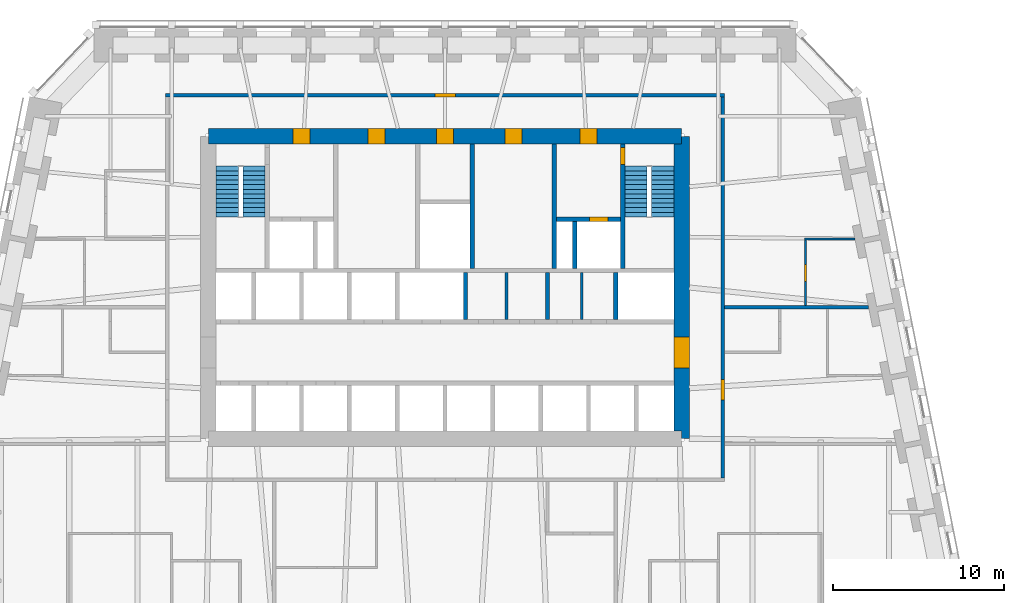
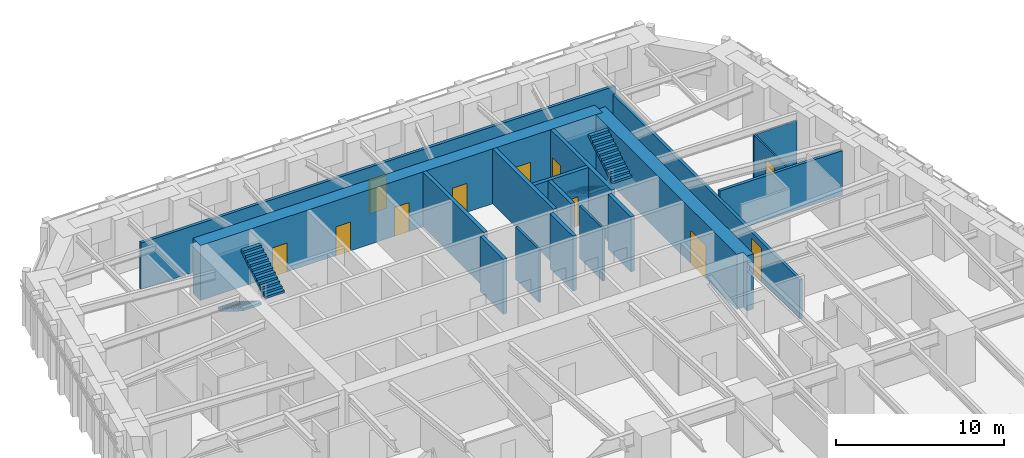
# One storey, part 14 of 16: 17 walls, 11 doors, 4 stair flights, 11 openings, 2 elements without a shape of their own.
"""IFC4 building model written with IfcOpenShell, lengths in metres."""

import ifcopenshell
import ifcopenshell.guid

model = None  # the IFC model being written
_history = None  # IfcOwnerHistory: only IFC2X3 demands one
_inside = {}  # id of a spatial element -> (the spatial element, [elements in it])
_under = {}  # id of a project, library or spatial element -> (it, [spatial elements below it])
_declared = {}  # id of a project -> (the project, [libraries it declares])
_typed = {}  # id of a type object -> (the type object, [elements of that type])
_made_of = {}  # id of a material, layer set ... -> (it, [elements and type objects made of it])


def new_model(schema):
    """Start an empty IFC model of exactly this schema.

    Asked for "IFC4X3", IfcOpenShell would pick the latest addendum, in which some entities
    have other attributes; the version numbers below select the first issue.
    IFC2X3 requires an IfcOwnerHistory on every rooted entity: one is made here for all.
    """
    global model, _history
    if schema == "IFC4X3":
        model = ifcopenshell.file(schema_version=(4, 3, 0, 0))
    else:
        model = ifcopenshell.file(schema=schema)
    _inside.clear()
    _under.clear()
    _declared.clear()
    _typed.clear()
    _made_of.clear()
    _history = None
    if model.schema == "IFC2X3":
        org = make("IfcOrganization", Name="unknown")
        user = make(
            "IfcPersonAndOrganization",
            ThePerson=make("IfcPerson", FamilyName="unknown"),
            TheOrganization=org,
        )
        app = make(
            "IfcApplication",
            ApplicationDeveloper=org,
            Version="unknown",
            ApplicationFullName="unknown",
            ApplicationIdentifier="unknown",
        )
        _history = make(
            "IfcOwnerHistory",
            OwningUser=user,
            OwningApplication=app,
            ChangeAction="ADDED",
            CreationDate=0,
        )
    return model


def make(cls, **values):
    """One entity of the class cls with the attributes given. An attribute that is None is left unset."""
    return model.create_entity(
        cls, **{name: value for name, value in values.items() if value is not None}
    )


def rooted(cls, **values):
    """An entity with a GlobalId (a new one), such as an element, a storey or a relation."""
    return make(cls, GlobalId=ifcopenshell.guid.new(), OwnerHistory=_history, **values)


def si_unit(unit_type, name, prefix=None):
    """IfcSIUnit, for example si_unit("LENGTHUNIT", "METRE", prefix="MILLI")."""
    return make("IfcSIUnit", UnitType=unit_type, Prefix=prefix, Name=name)


def assignment(units):
    """IfcUnitAssignment: the units of a project."""
    return None if units is None else make("IfcUnitAssignment", Units=units)


def point(xyz):
    """IfcCartesianPoint."""
    return None if xyz is None else make("IfcCartesianPoint", Coordinates=xyz)


def direction(xyz):
    """IfcDirection."""
    return None if xyz is None else make("IfcDirection", DirectionRatios=xyz)


def frame(location, z_axis=None, x_axis=None):
    """IfcAxis2Placement3D, a coordinate frame: its origin and axes. An axis left out is left unset."""
    return make(
        "IfcAxis2Placement3D",
        Location=point(location),
        Axis=direction(z_axis),
        RefDirection=direction(x_axis),
    )


def frame_2d(location, x_axis=None):
    """IfcAxis2Placement2D, a coordinate frame in the plane: its origin and x axis."""
    return make(
        "IfcAxis2Placement2D", Location=point(location), RefDirection=direction(x_axis)
    )


def origin():
    """The frame at (0, 0, 0) with its axes left unset."""
    return frame((0.0, 0.0, 0.0))


def place(relative_to, where):
    """IfcLocalPlacement: puts the frame where relative to a parent placement (None: the world)."""
    return make(
        "IfcLocalPlacement", PlacementRelTo=relative_to, RelativePlacement=where
    )


def context(
    kind, dimensions, precision=None, world=None, true_north=None, identifier=None
):
    """IfcGeometricRepresentationContext, for example the 3D "Model" context."""
    return make(
        "IfcGeometricRepresentationContext",
        ContextIdentifier=identifier,
        ContextType=kind,
        CoordinateSpaceDimension=dimensions,
        Precision=precision,
        WorldCoordinateSystem=world,
        TrueNorth=true_north,
    )


def subcontext(parent, identifier, kind, view, scale=None):
    """IfcGeometricRepresentationSubContext, for example "Body" below "Model"."""
    return make(
        "IfcGeometricRepresentationSubContext",
        ContextIdentifier=identifier,
        ContextType=kind,
        ParentContext=parent,
        TargetScale=scale,
        TargetView=view,
    )


def project(units=None, contexts=None):
    """IfcProject with its units and contexts."""
    return rooted(
        "IfcProject",
        Name="project",
        RepresentationContexts=contexts,
        UnitsInContext=assignment(units),
    )


def spatial(cls, under=None, at=None, **own):
    """A site, building, storey or space (cls), placed at a placement, below another one or the project."""
    s = rooted(cls, ObjectPlacement=at, **own)
    if under is not None:
        _under.setdefault(under.id(), (under, []))[1].append(s)
    return s


def polyline(points):
    """IfcPolyline through the points."""
    return make("IfcPolyline", Points=[point(p) for p in points])


def profile(cls, at=None, kind="AREA", **sizes):
    """A parametric profile (cls). Its sizes go by their IFC names, for example OverallWidth=200.0."""
    return make(cls, ProfileType=kind, Position=at, **sizes)


def rectangle(**sizes):
    """IfcRectangleProfileDef."""
    return profile("IfcRectangleProfileDef", **sizes)


def outline(outer, holes=None, kind="AREA"):
    """IfcArbitraryClosedProfileDef: a profile drawn as a closed curve; with holes, ...WithVoids."""
    if holes is None:
        return make("IfcArbitraryClosedProfileDef", ProfileType=kind, OuterCurve=outer)
    return make(
        "IfcArbitraryProfileDefWithVoids",
        ProfileType=kind,
        OuterCurve=outer,
        InnerCurves=holes,
    )


def extrude(swept, where, along, depth):
    """IfcExtrudedAreaSolid: the profile swept, set in the frame where, extruded along a direction by depth."""
    return make(
        "IfcExtrudedAreaSolid",
        SweptArea=swept,
        Position=where,
        ExtrudedDirection=direction(along),
        Depth=depth,
    )


def shape(context_of_items, identifier, shape_type, items):
    """IfcShapeRepresentation: the items that make up one representation, for example the "Body"."""
    return make(
        "IfcShapeRepresentation",
        ContextOfItems=context_of_items,
        RepresentationIdentifier=identifier,
        RepresentationType=shape_type,
        Items=items,
    )


def material(Name=None, Category=None):
    """IfcMaterial."""
    return make("IfcMaterial", Name=Name, Category=Category)


def layer(
    of_material, thickness, ventilated=None, Name=None, Category=None, Priority=None
):
    """IfcMaterialLayer: one layer of a wall or slab, of a material (None: an air gap)."""
    return make(
        "IfcMaterialLayer",
        Material=of_material,
        LayerThickness=thickness,
        IsVentilated=ventilated,
        Name=Name,
        Category=Category,
        Priority=Priority,
    )


def layer_set(layers, Name=None):
    """IfcMaterialLayerSet."""
    return make("IfcMaterialLayerSet", MaterialLayers=layers, LayerSetName=Name)


def made_of(thing, what):
    """Note that an element or type object is made of a material, layer set ...; save() writes the relation."""
    if what is not None:
        _made_of.setdefault(what.id(), (what, []))[1].append(thing)
    return thing


def type_object(cls, material=None, **own):
    """A type object (cls), such as IfcWallType, which elements share."""
    return made_of(rooted(cls, **own), material)


def element(
    cls,
    number,
    at=None,
    inside=None,
    cuts=None,
    type_object=None,
    material=None,
    context=None,
    identifier="Body",
    shape_type=None,
    held_by="IfcProductDefinitionShape",
    body=None,
    shapes=None,
    **own,
):
    """One element of the class cls, such as IfcWall. Its Tag is "e" and its number.

    at: its placement. inside: the storey or other place that contains it. cuts: it is an
    opening in that element (IfcRelVoidsElement). A single representation is given by context,
    identifier, shape_type and body (its items); several are given by shapes. held_by: the class
    of the entity that holds the representations. save() writes the other relations.
    """
    e = rooted(cls, Tag="e%d" % number, ObjectPlacement=at, **own)
    if body is not None:
        shapes = [shape(context, identifier, shape_type, body)]
    if shapes is not None:
        e.Representation = make(held_by, Representations=shapes)
    if inside is not None:
        _inside.setdefault(inside.id(), (inside, []))[1].append(e)
    if cuts is not None:
        rooted(
            "IfcRelVoidsElement", RelatingBuildingElement=cuts, RelatedOpeningElement=e
        )
    if type_object is not None:
        _typed.setdefault(type_object.id(), (type_object, []))[1].append(e)
    return made_of(e, material)


def fill(opening, filler):
    """IfcRelFillsElement: the door or window that sits in an opening."""
    return rooted(
        "IfcRelFillsElement",
        RelatingOpeningElement=opening,
        RelatedBuildingElement=filler,
    )


def aggregate(whole, parts):
    """IfcRelAggregates: a whole, such as a stair, and the parts it consists of."""
    return rooted("IfcRelAggregates", RelatingObject=whole, RelatedObjects=parts)


def save(model, path):
    """Write the relations noted so far, then the file.

    IfcRelAggregates (storeys below a building ...), IfcRelContainedInSpatialStructure (elements
    in a storey), IfcRelDefinesByType, IfcRelAssociatesMaterial and IfcRelDeclares: one each for
    every whole, place, type object, material and project.
    """
    for whole, parts in _under.values():
        aggregate(whole, parts)
    for where, things in _inside.values():
        rooted(
            "IfcRelContainedInSpatialStructure",
            RelatedElements=things,
            RelatingStructure=where,
        )
    for kind, things in _typed.values():
        rooted("IfcRelDefinesByType", RelatedObjects=things, RelatingType=kind)
    for what, things in _made_of.values():
        rooted("IfcRelAssociatesMaterial", RelatedObjects=things, RelatingMaterial=what)
    for by, libraries in _declared.values():
        rooted("IfcRelDeclares", RelatingContext=by, RelatedDefinitions=libraries)
    model.write(path)


model = new_model("IFC4")

# Units and contexts
model_context = context("Model", 3, precision=1e-05, world=origin(), true_north=direction((0.0, 1.0)))
body_context = subcontext(model_context, "Body", "Model", "MODEL_VIEW")
ifc_project = project(units=[si_unit("LENGTHUNIT", "METRE"), si_unit("AREAUNIT", "SQUARE_METRE"), si_unit("VOLUMEUNIT", "CUBIC_METRE"), si_unit("PLANEANGLEUNIT", "RADIAN"), si_unit("MASSUNIT", "GRAM", prefix="KILO")], contexts=[model_context])

# Site, building, storey
site_placement = place(None, origin())
site = spatial("IfcSite", under=ifc_project, at=site_placement, CompositionType="ELEMENT")
building_placement = place(site_placement, origin())
building = spatial("IfcBuilding", under=site, at=building_placement, Name="Isbrekke Arena Tower", CompositionType="ELEMENT")
storey_placement = place(building_placement, frame((0.0, 0.0, 36.0)))
storey = spatial("IfcBuildingStorey", under=building, at=storey_placement, Name="L06", CompositionType="ELEMENT", Elevation=36.0)

# Wall, opening, door
ifc_material_1 = material(Name="Concrete B65 (C65/80)", Category="concrete")
ifc_layer_1 = layer(ifc_material_1, 0.89990234375)
ifc_layer_set_1 = layer_set([ifc_layer_1], Name="CW2 CORE WALL 900")
wall_type_1 = type_object("IfcWallType", Name="CW2 CORE WALL 900", PredefinedType="SHEAR", material=ifc_layer_set_1)
wall_1_placement = place(storey_placement, frame((13.85009765625, 6.14990234375, 0.0), z_axis=(0.0, 0.0, 1.0), x_axis=(0.0, 1.0, 0.0)))
wall_1 = element("IfcWall", 1, at=wall_1_placement, inside=storey, type_object=wall_type_1, Name="Core wall E L06", PredefinedType="SHEAR", context=body_context, shape_type="SweptSolid", body=[
    extrude(outline(polyline([(0.0, -0.449951171875), (17.7001953125, -0.449951171875), (17.7001953125, 0.0), (17.250244140625, 0.0), (17.250244140625, 0.449951171875), (0.449951171875, 0.449951171875), (0.449951171875, 0.0), (0.0, 0.0), (0.0, -0.449951171875)])), origin(), (0.0, 0.0, 1.0), 4.0),
])
opening_1_placement = place(wall_1_placement, frame((4.14990234375, 0.0, 0.0)))
opening_1 = element("IfcOpeningElement", 2, at=opening_1_placement, cuts=wall_1, Name="Opening D1", PredefinedType="OPENING", context=body_context, shape_type="SweptSolid", body=[
    extrude(rectangle(XDim=1.800048828125, YDim=2.39990234375, at=frame_2d((0.89990234375, 1.199951171875))), frame((0.0, 0.46484375, 0.0), z_axis=(0.0, -1.0, 0.0), x_axis=(1.0, 0.0, 0.0)), (0.0, 0.0, 1.0), 0.9296875),
])
ifc_material_2 = material(Name="Steel-framed glazed fire door", Category="steel")
door_type_1 = type_object("IfcDoorType", Name="D1 CORE LOBBY DOOR 1800 x 2400", OperationType="DOUBLE_DOOR_SINGLE_SWING", PredefinedType="DOOR", material=ifc_material_2)
door_1_placement = place(opening_1_placement, origin())
door_1 = element("IfcDoor", 3, at=door_1_placement, inside=storey, type_object=door_type_1, Name="D1 lift lobby door east L06", OperationType="DOUBLE_DOOR_SINGLE_SWING", OverallHeight=2.39990234375, OverallWidth=1.800048828125, PredefinedType="DOOR", context=body_context, shape_type="SweptSolid", body=[
    extrude(rectangle(XDim=1.800048828125, YDim=2.39990234375, at=frame_2d((0.89990234375, 1.199951171875))), frame((0.0, 0.44970703125, 0.0), z_axis=(0.0, -1.0, 0.0), x_axis=(1.0, 0.0, 0.0)), (0.0, 0.0, 1.0), 0.8994140625),
])
fill(opening_1, door_1)

# Wall, openings, doors
wall_2_placement = place(storey_placement, frame((13.85009765625, 23.85009765625, 0.0), z_axis=(0.0, 0.0, 1.0), x_axis=(-1.0, 0.0, 0.0)))
wall_2 = element("IfcWall", 4, at=wall_2_placement, inside=storey, type_object=wall_type_1, Name="Core wall N L06", PredefinedType="SHEAR", context=body_context, shape_type="SweptSolid", body=[
    extrude(rectangle(XDim=27.7001953125, YDim=0.89990234375, at=frame_2d((13.85009765625, 0.0))), origin(), (0.0, 0.0, 1.0), 4.0),
])
opening_2_placement = place(wall_2_placement, frame((21.75, 0.0, 0.0)))
opening_2 = element("IfcOpeningElement", 5, at=opening_2_placement, cuts=wall_2, Name="Opening D3", PredefinedType="OPENING", context=body_context, shape_type="SweptSolid", body=[
    extrude(rectangle(XDim=1.0, YDim=2.10009765625, at=frame_2d((0.5, 1.050048828125))), frame((0.0, 0.46484375, 0.0), z_axis=(0.0, -1.0, 0.0), x_axis=(1.0, 0.0, 0.0)), (0.0, 0.0, 1.0), 0.9296875),
])
opening_3_placement = place(wall_2_placement, frame((4.949951171875, 0.0, 0.0)))
opening_3 = element("IfcOpeningElement", 6, at=opening_3_placement, cuts=wall_2, Name="Opening D3", PredefinedType="OPENING", context=body_context, shape_type="SweptSolid", body=[
    extrude(rectangle(XDim=1.0, YDim=2.10009765625, at=frame_2d((0.5, 1.050048828125))), frame((0.0, 0.46484375, 0.0), z_axis=(0.0, -1.0, 0.0), x_axis=(1.0, 0.0, 0.0)), (0.0, 0.0, 1.0), 0.9296875),
])
opening_4_placement = place(wall_2_placement, frame((17.35009765625, 0.0, 0.0)))
opening_4 = element("IfcOpeningElement", 7, at=opening_4_placement, cuts=wall_2, Name="Opening D4", PredefinedType="OPENING", context=body_context, shape_type="SweptSolid", body=[
    extrude(rectangle(XDim=1.0, YDim=2.10009765625, at=frame_2d((0.5, 1.050048828125))), frame((0.0, 0.46484375, 0.0), z_axis=(0.0, -1.0, 0.0), x_axis=(1.0, 0.0, 0.0)), (0.0, 0.0, 1.0), 0.9296875),
])
opening_5_placement = place(wall_2_placement, frame((13.35009765625, 0.0, 0.0)))
opening_5 = element("IfcOpeningElement", 8, at=opening_5_placement, cuts=wall_2, Name="Opening D4", PredefinedType="OPENING", context=body_context, shape_type="SweptSolid", body=[
    extrude(rectangle(XDim=1.0, YDim=2.10009765625, at=frame_2d((0.5, 1.050048828125))), frame((0.0, 0.46484375, 0.0), z_axis=(0.0, -1.0, 0.0), x_axis=(1.0, 0.0, 0.0)), (0.0, 0.0, 1.0), 0.9296875),
])
opening_6_placement = place(wall_2_placement, frame((9.35009765625, 0.0, 0.0)))
opening_6 = element("IfcOpeningElement", 9, at=opening_6_placement, cuts=wall_2, Name="Opening D4", PredefinedType="OPENING", context=body_context, shape_type="SweptSolid", body=[
    extrude(rectangle(XDim=1.0, YDim=2.10009765625, at=frame_2d((0.5, 1.050048828125))), frame((0.0, 0.46484375, 0.0), z_axis=(0.0, -1.0, 0.0), x_axis=(1.0, 0.0, 0.0)), (0.0, 0.0, 1.0), 0.9296875),
])
ifc_material_3 = material(Name="Steel fire door", Category="steel")
door_type_2 = type_object("IfcDoorType", Name="D3 FIRE LOBBY DOOR 1000 x 2100", OperationType="SINGLE_SWING_RIGHT", PredefinedType="DOOR", material=ifc_material_3)
door_2_placement = place(opening_2_placement, origin())
door_2 = element("IfcDoor", 10, at=door_2_placement, inside=storey, type_object=door_type_2, Name="D3 fire-fighting lobby door L06", OperationType="SINGLE_SWING_RIGHT", OverallHeight=2.10009765625, OverallWidth=1.0, PredefinedType="DOOR", context=body_context, shape_type="SweptSolid", body=[
    extrude(rectangle(XDim=1.0, YDim=2.10009765625, at=frame_2d((0.5, 1.050048828125))), frame((0.0, 0.44970703125, 0.0), z_axis=(0.0, -1.0, 0.0), x_axis=(1.0, 0.0, 0.0)), (0.0, 0.0, 1.0), 0.8994140625),
])
fill(opening_2, door_2)
door_3_placement = place(opening_3_placement, origin())
door_3 = element("IfcDoor", 11, at=door_3_placement, inside=storey, type_object=door_type_2, Name="D3 fire-fighting lobby door L06", OperationType="SINGLE_SWING_RIGHT", OverallHeight=2.10009765625, OverallWidth=1.0, PredefinedType="DOOR", context=body_context, shape_type="SweptSolid", body=[
    extrude(rectangle(XDim=1.0, YDim=2.10009765625, at=frame_2d((0.5, 1.050048828125))), frame((0.0, 0.44970703125, 0.0), z_axis=(0.0, -1.0, 0.0), x_axis=(1.0, 0.0, 0.0)), (0.0, 0.0, 1.0), 0.8994140625),
])
fill(opening_3, door_3)
ifc_material_4 = material(Name="Timber door", Category="wood")
door_type_3 = type_object("IfcDoorType", Name="D4 WC DOOR 1000 x 2100", OperationType="SINGLE_SWING_LEFT", PredefinedType="DOOR", material=ifc_material_4)
door_4_placement = place(opening_4_placement, origin())
door_4 = element("IfcDoor", 12, at=door_4_placement, inside=storey, type_object=door_type_3, Name="D4 wc female door L06", OperationType="SINGLE_SWING_LEFT", OverallHeight=2.10009765625, OverallWidth=1.0, PredefinedType="DOOR", context=body_context, shape_type="SweptSolid", body=[
    extrude(rectangle(XDim=1.0, YDim=2.10009765625, at=frame_2d((0.5, 1.050048828125))), frame((0.0, 0.44970703125, 0.0), z_axis=(0.0, -1.0, 0.0), x_axis=(1.0, 0.0, 0.0)), (0.0, 0.0, 1.0), 0.8994140625),
])
fill(opening_4, door_4)
door_5_placement = place(opening_5_placement, origin())
door_5 = element("IfcDoor", 13, at=door_5_placement, inside=storey, type_object=door_type_3, Name="D4 accessible wc door L06", OperationType="SINGLE_SWING_LEFT", OverallHeight=2.10009765625, OverallWidth=1.0, PredefinedType="DOOR", context=body_context, shape_type="SweptSolid", body=[
    extrude(rectangle(XDim=1.0, YDim=2.10009765625, at=frame_2d((0.5, 1.050048828125))), frame((0.0, 0.44970703125, 0.0), z_axis=(0.0, -1.0, 0.0), x_axis=(1.0, 0.0, 0.0)), (0.0, 0.0, 1.0), 0.8994140625),
])
fill(opening_5, door_5)
door_6_placement = place(opening_6_placement, origin())
door_6 = element("IfcDoor", 14, at=door_6_placement, inside=storey, type_object=door_type_3, Name="D4 wc male door L06", OperationType="SINGLE_SWING_LEFT", OverallHeight=2.10009765625, OverallWidth=1.0, PredefinedType="DOOR", context=body_context, shape_type="SweptSolid", body=[
    extrude(rectangle(XDim=1.0, YDim=2.10009765625, at=frame_2d((0.5, 1.050048828125))), frame((0.0, 0.44970703125, 0.0), z_axis=(0.0, -1.0, 0.0), x_axis=(1.0, 0.0, 0.0)), (0.0, 0.0, 1.0), 0.8994140625),
])
fill(opening_6, door_6)

# Walls
ifc_material_5 = material(Name="Concrete B45 (C45/55)", Category="concrete")
ifc_layer_2 = layer(ifc_material_5, 0.25)
ifc_layer_set_2 = layer_set([ifc_layer_2], Name="CW6 SHAFT WALL 250")
wall_type_2 = type_object("IfcWallType", Name="CW6 SHAFT WALL 250", PredefinedType="SHEAR", material=ifc_layer_set_2)
for number, where, z_axis, x_axis, name in (
    (15, (1.199951171875, 13.125, 0.0), (0.0, 0.0, 1.0), (0.0, 1.0, 0.0), "Core wall SN05 L06"),
    (16, (6.0, 13.125, 0.0), (0.0, 0.0, 1.0), (0.0, 1.0, 0.0), "Core wall SN06 L06"),
    (17, (10.0, 13.125, 0.0), (0.0, 0.0, 1.0), (0.0, 1.0, 0.0), "Core wall SN07 L06"),
):
    element("IfcWall", number, at=place(storey_placement, frame(where, z_axis=z_axis, x_axis=x_axis)), inside=storey, type_object=wall_type_2, Name=name, PredefinedType="SHEAR", context=body_context, shape_type="SweptSolid", body=[
        extrude(rectangle(XDim=2.75, YDim=0.25, at=frame_2d((1.375, 0.0))), origin(), (0.0, 0.0, 1.0), 4.0),
    ])
for number, where, z_axis, x_axis, name in (
    (18, (1.60009765625, 16.125, 0.0), (0.0, 0.0, 1.0), (0.0, 1.0, 0.0), "Core wall NV04 L06"),
    (19, (6.39990234375, 16.125, 0.0), (0.0, 0.0, 1.0), (0.0, 1.0, 0.0), "Core wall NV05 L06"),
):
    element("IfcWall", number, at=place(storey_placement, frame(where, z_axis=z_axis, x_axis=x_axis)), inside=storey, type_object=wall_type_2, Name=name, PredefinedType="SHEAR", context=body_context, shape_type="SweptSolid", body=[
        extrude(rectangle(XDim=7.27490234375, YDim=0.25, at=frame_2d((3.637451171875, 0.0))), origin(), (0.0, 0.0, 1.0), 4.0),
    ])

# Wall, opening, door
wall_3_placement = place(storey_placement, frame((10.39990234375, 16.125, 0.0), z_axis=(0.0, 0.0, 1.0), x_axis=(0.0, 1.0, 0.0)))
wall_3 = element("IfcWall", 20, at=wall_3_placement, inside=storey, type_object=wall_type_2, Name="Core wall NV06 L06", PredefinedType="SHEAR", context=body_context, shape_type="SweptSolid", body=[
    extrude(rectangle(XDim=7.27490234375, YDim=0.25, at=frame_2d((3.637451171875, 0.0))), origin(), (0.0, 0.0, 1.0), 4.0),
])
opening_7_placement = place(wall_3_placement, frame((6.074951171875, 0.0, 0.0)))
opening_7 = element("IfcOpeningElement", 21, at=opening_7_placement, cuts=wall_3, Name="Opening D2", PredefinedType="OPENING", context=body_context, shape_type="SweptSolid", body=[
    extrude(rectangle(XDim=1.0, YDim=2.10009765625, at=frame_2d((0.5, 1.050048828125))), frame((0.0, 0.139892578125, 0.0), z_axis=(0.0, -1.0, 0.0), x_axis=(1.0, 0.0, 0.0)), (0.0, 0.0, 1.0), 0.27978515625),
])
ifc_material_6 = material(Name="Steel fire door", Category="steel")
door_type_4 = type_object("IfcDoorType", Name="D2 STAIR DOOR 1000 x 2100", OperationType="SINGLE_SWING_LEFT", PredefinedType="DOOR", material=ifc_material_6)
door_7_placement = place(opening_7_placement, origin())
door_7 = element("IfcDoor", 22, at=door_7_placement, inside=storey, type_object=door_type_4, Name="D2 stair door ST2 L06", OperationType="SINGLE_SWING_LEFT", OverallHeight=2.10009765625, OverallWidth=1.0, PredefinedType="DOOR", context=body_context, shape_type="SweptSolid", body=[
    extrude(rectangle(XDim=1.0, YDim=2.10009765625, at=frame_2d((0.5, 1.050048828125))), frame((0.0, 0.124755859375, 0.0), z_axis=(0.0, -1.0, 0.0), x_axis=(1.0, 0.0, 0.0)), (0.0, 0.0, 1.0), 0.24951171875),
])
fill(opening_7, door_7)

wall_4_placement = place(storey_placement, frame((6.52490234375, 19.0, 0.0), z_axis=(0.0, 0.0, 1.0), x_axis=(1.0, 0.0, 0.0)))
wall_4 = element("IfcWall", 23, at=wall_4_placement, inside=storey, type_object=wall_type_2, Name="Core wall NFE L06", PredefinedType="SHEAR", context=body_context, shape_type="SweptSolid", body=[
    extrude(rectangle(XDim=3.75, YDim=0.25, at=frame_2d((1.875, 0.0))), origin(), (0.0, 0.0, 1.0), 4.0),
])
opening_8_placement = place(wall_4_placement, frame((1.925048828125, 0.0, 0.0)))
opening_8 = element("IfcOpeningElement", 24, at=opening_8_placement, cuts=wall_4, Name="Opening LD2", PredefinedType="OPENING", context=body_context, shape_type="SweptSolid", body=[
    extrude(rectangle(XDim=1.10009765625, YDim=2.10009765625, at=frame_2d((0.550048828125, 1.050048828125))), frame((0.0, 0.139892578125, 0.0), z_axis=(0.0, -1.0, 0.0), x_axis=(1.0, 0.0, 0.0)), (0.0, 0.0, 1.0), 0.27978515625),
])
ifc_material_7 = material(Name="Stainless steel lift landing door", Category="steel")
door_type_5 = type_object("IfcDoorType", Name="LD2 FIRE-FIGHTING LIFT LANDING DOOR 1100 x 2100", OperationType="SLIDING_TO_RIGHT", PredefinedType="DOOR", material=ifc_material_7)
door_8_placement = place(opening_8_placement, origin())
door_8 = element("IfcDoor", 25, at=door_8_placement, inside=storey, type_object=door_type_5, Name="LD2 lift landing door LF L06", OperationType="SLIDING_TO_RIGHT", OverallHeight=2.10009765625, OverallWidth=1.10009765625, PredefinedType="DOOR", context=body_context, shape_type="SweptSolid", body=[
    extrude(rectangle(XDim=1.10009765625, YDim=2.10009765625, at=frame_2d((0.550048828125, 1.050048828125))), frame((0.0, 0.124755859375, 0.0), z_axis=(0.0, -1.0, 0.0), x_axis=(1.0, 0.0, 0.0)), (0.0, 0.0, 1.0), 0.24951171875),
])
fill(opening_8, door_8)

# Walls
wall_5_placement = place(storey_placement, frame((7.60009765625, 16.125, 0.0), z_axis=(0.0, 0.0, 1.0), x_axis=(0.0, 1.0, 0.0)))
element("IfcWall", 26, at=wall_5_placement, inside=storey, type_object=wall_type_2, Name="Core wall NFS2 L06", PredefinedType="SHEAR", context=body_context, shape_type="SweptSolid", body=[
    extrude(rectangle(XDim=2.75, YDim=0.25, at=frame_2d((1.375, 0.0))), origin(), (0.0, 0.0, 1.0), 4.0),
])
ifc_material_8 = material(Name="Frameless glazed partition, laminated acoustic glass", Category="glass")
ifc_layer_3 = layer(ifc_material_8, 0.1201171875)
ifc_layer_set_3 = layer_set([ifc_layer_3], Name="IW2 GLAZED PARTITION 120")
wall_type_3 = type_object("IfcWallType", Name="IW2 GLAZED PARTITION 120", PredefinedType="PARTITIONING", material=ifc_layer_set_3)
wall_6_placement = place(storey_placement, frame((21.0400390625, 17.840087890625, 0.0), z_axis=(0.0, 0.0, 1.0), x_axis=(1.0, 0.0, 0.0)))
element("IfcWall", 27, at=wall_6_placement, inside=storey, type_object=wall_type_3, Name="IW2 glazed partition 120 L06", PredefinedType="PARTITIONING", context=body_context, shape_type="SweptSolid", body=[
    extrude(rectangle(XDim=2.956298828125, YDim=0.1201171875, at=frame_2d((1.47802734375, 0.0))), origin(), (0.0, 0.0, 1.0), 3.25),
])

# Wall, opening, door
wall_7_placement = place(storey_placement, frame((21.10009765625, 13.93994140625, 0.0), z_axis=(0.0, 0.0, 1.0), x_axis=(0.0, 1.0, 0.0)))
wall_7 = element("IfcWall", 28, at=wall_7_placement, inside=storey, type_object=wall_type_3, Name="IW2 glazed partition 120 L06", PredefinedType="PARTITIONING", context=body_context, shape_type="SweptSolid", body=[
    extrude(rectangle(XDim=3.840087890625, YDim=0.1201171875, at=frame_2d((1.919921875, 0.0))), origin(), (0.0, 0.0, 1.0), 3.25),
])
opening_9_placement = place(wall_7_placement, frame((1.39990234375, 0.0, 0.0)))
opening_9 = element("IfcOpeningElement", 29, at=opening_9_placement, cuts=wall_7, Name="Opening D11", PredefinedType="OPENING", context=body_context, shape_type="SweptSolid", body=[
    extrude(rectangle(XDim=1.0, YDim=2.39990234375, at=frame_2d((0.5, 1.199951171875))), frame((0.0, 0.074951171875, 0.0), z_axis=(0.0, -1.0, 0.0), x_axis=(1.0, 0.0, 0.0)), (0.0, 0.0, 1.0), 0.14990234375),
])
ifc_material_9 = material(Name="Frameless glazed door", Category="glass")
door_type_6 = type_object("IfcDoorType", Name="D11 GLAZED MEETING ROOM DOOR 1000 x 2400", OperationType="SINGLE_SWING_RIGHT", PredefinedType="DOOR", material=ifc_material_9)
door_9_placement = place(opening_9_placement, origin())
door_9 = element("IfcDoor", 30, at=door_9_placement, inside=storey, type_object=door_type_6, Name="D11 meeting room door L06", OperationType="SINGLE_SWING_RIGHT", OverallHeight=2.39990234375, OverallWidth=1.0, PredefinedType="DOOR", context=body_context, shape_type="SweptSolid", body=[
    extrude(rectangle(XDim=1.0, YDim=2.39990234375, at=frame_2d((0.5, 1.199951171875))), frame((0.0, 0.059814453125, 0.0), z_axis=(0.0, -1.0, 0.0), x_axis=(1.0, 0.0, 0.0)), (0.0, 0.0, 1.0), 0.11962890625),
])
fill(opening_9, door_9)

# Wall
ifc_material_10 = material(Name="Gypsum board fire-cell wall on steel studs, two layers each side", Category="steel")
ifc_layer_4 = layer(ifc_material_10, 0.199951171875)
ifc_layer_set_4 = layer_set([ifc_layer_4], Name="IW3 FIRE-CELL WALL 200")
wall_type_4 = type_object("IfcWallType", Name="IW3 FIRE-CELL WALL 200", PredefinedType="PARTITIONING", material=ifc_layer_set_4)
wall_8_placement = place(storey_placement, frame((16.35009765625, 13.840087890625, 0.0), z_axis=(0.0, 0.0, 1.0), x_axis=(1.0, 0.0, 0.0)))
element("IfcWall", 31, at=wall_8_placement, inside=storey, type_object=wall_type_4, Name="IW3 fire-cell wall 200 L06", PredefinedType="PARTITIONING", context=body_context, shape_type="SweptSolid", body=[
    extrude(rectangle(XDim=8.4462890625, YDim=0.199951171875, at=frame_2d((4.22314453125, 0.0))), origin(), (0.0, 0.0, 1.0), 3.25),
])

# Wall, opening, door
wall_9_placement = place(storey_placement, frame((-16.35009765625, 26.25, 0.0), z_axis=(0.0, 0.0, 1.0), x_axis=(1.0, 0.0, 0.0)))
wall_9 = element("IfcWall", 32, at=wall_9_placement, inside=storey, type_object=wall_type_4, Name="IW3 fire-cell wall 200 L06", PredefinedType="PARTITIONING", context=body_context, shape_type="SweptSolid", body=[
    extrude(rectangle(XDim=32.7001953125, YDim=0.199951171875, at=frame_2d((16.35009765625, 0.0))), origin(), (0.0, 0.0, 1.0), 3.39990234375),
])
opening_10_placement = place(wall_9_placement, frame((15.75, 0.0, 0.0)))
opening_10 = element("IfcOpeningElement", 33, at=opening_10_placement, cuts=wall_9, Name="Opening D12", PredefinedType="OPENING", context=body_context, shape_type="SweptSolid", body=[
    extrude(rectangle(XDim=1.199951171875, YDim=2.39990234375, at=frame_2d((0.60009765625, 1.199951171875))), frame((0.0, 0.11474609375, 0.0), z_axis=(0.0, -1.0, 0.0), x_axis=(1.0, 0.0, 0.0)), (0.0, 0.0, 1.0), 0.229736328125),
])
ifc_material_11 = material(Name="Timber fire door with vision panel", Category="wood")
door_type_7 = type_object("IfcDoorType", Name="D12 SUITE ENTRANCE DOOR 1200 x 2400", OperationType="SINGLE_SWING_LEFT", PredefinedType="DOOR", material=ifc_material_11)
door_10_placement = place(opening_10_placement, origin())
door_10 = element("IfcDoor", 34, at=door_10_placement, inside=storey, type_object=door_type_7, Name="D12 suite entrance N door L06", OperationType="SINGLE_SWING_LEFT", OverallHeight=2.39990234375, OverallWidth=1.199951171875, PredefinedType="DOOR", context=body_context, shape_type="SweptSolid", body=[
    extrude(rectangle(XDim=1.199951171875, YDim=2.39990234375, at=frame_2d((0.60009765625, 1.199951171875))), frame((0.0, 0.099609375, 0.0), z_axis=(0.0, -1.0, 0.0), x_axis=(1.0, 0.0, 0.0)), (0.0, 0.0, 1.0), 0.199462890625),
])
fill(opening_10, door_10)

wall_10_placement = place(storey_placement, frame((16.25, 3.85009765625, 0.0), z_axis=(0.0, 0.0, 1.0), x_axis=(0.0, 1.0, 0.0)))
wall_10 = element("IfcWall", 35, at=wall_10_placement, inside=storey, type_object=wall_type_4, Name="IW3 fire-cell wall 200 L06", PredefinedType="PARTITIONING", context=body_context, shape_type="SweptSolid", body=[
    extrude(rectangle(XDim=22.2998046875, YDim=0.199951171875, at=frame_2d((11.14990234375, 0.0))), origin(), (0.0, 0.0, 1.0), 2.842041015625),
])
opening_11_placement = place(wall_10_placement, frame((4.550048828125, 0.0, 0.0)))
opening_11 = element("IfcOpeningElement", 36, at=opening_11_placement, cuts=wall_10, Name="Opening D12", PredefinedType="OPENING", context=body_context, shape_type="SweptSolid", body=[
    extrude(rectangle(XDim=1.199951171875, YDim=2.39990234375, at=frame_2d((0.60009765625, 1.199951171875))), frame((0.0, 0.11474609375, 0.0), z_axis=(0.0, -1.0, 0.0), x_axis=(1.0, 0.0, 0.0)), (0.0, 0.0, 1.0), 0.229736328125),
])
door_11_placement = place(opening_11_placement, origin())
door_11 = element("IfcDoor", 37, at=door_11_placement, inside=storey, type_object=door_type_7, Name="D12 suite entrance E door L06", OperationType="SINGLE_SWING_LEFT", OverallHeight=2.39990234375, OverallWidth=1.199951171875, PredefinedType="DOOR", context=body_context, shape_type="SweptSolid", body=[
    extrude(rectangle(XDim=1.199951171875, YDim=2.39990234375, at=frame_2d((0.60009765625, 1.199951171875))), frame((0.0, 0.099609375, 0.0), z_axis=(0.0, -1.0, 0.0), x_axis=(1.0, 0.0, 0.0)), (0.0, 0.0, 1.0), 0.199462890625),
])
fill(opening_11, door_11)

# Walls
ifc_material_12 = material(Name="Gypsum board fire-rated partition on steel studs, two layers each side", Category="steel")
ifc_layer_5 = layer(ifc_material_12, 0.14990234375)
ifc_layer_set_5 = layer_set([ifc_layer_5], Name="IW5 FIRE-RATED PARTITION 150")
wall_type_5 = type_object("IfcWallType", Name="IW5 FIRE-RATED PARTITION 150", PredefinedType="PARTITIONING", material=ifc_layer_set_5)
for number, where, z_axis, x_axis, name in (
    (38, (3.60009765625, 13.125, 0.0), (0.0, 0.0, 1.0), (0.0, 1.0, 0.0), "IW5 fire-rated partition L06 core service rooms 1"),
    (39, (8.0, 13.125, 0.0), (0.0, 0.0, 1.0), (0.0, 1.0, 0.0), "IW5 fire-rated partition L06 core service rooms 2"),
):
    element("IfcWall", number, at=place(storey_placement, frame(where, z_axis=z_axis, x_axis=x_axis)), inside=storey, type_object=wall_type_5, Name=name, PredefinedType="PARTITIONING", context=body_context, shape_type="SweptSolid", body=[
        extrude(rectangle(XDim=2.75, YDim=0.14990234375, at=frame_2d((1.375, 0.0))), origin(), (0.0, 0.0, 1.0), 3.85009765625),
    ])

# Stair, stair flights
ifc_material_13 = material(Name="Concrete B45 (C45/55) precast", Category="concrete")
stair_type = type_object("IfcStairType", Name="ST40 STAIR 1300 WIDE, 24 RISERS 167", PredefinedType="HALF_TURN_STAIR", material=ifc_material_13)
stair_1_placement = place(storey_placement, origin())
stair_1 = element("IfcStair", 40, at=stair_1_placement, inside=storey, type_object=stair_type, Name="ST1 stair L06", PredefinedType="HALF_TURN_STAIR")
ifc_material_14 = material(Name="Concrete B45 (C45/55) precast", Category="concrete")
stair_flight_type = type_object("IfcStairFlightType", Name="SF 1300 FLIGHT", PredefinedType="STRAIGHT", material=ifc_material_14)
stair_flight_1_placement = place(storey_placement, frame((-12.75, 22.10009765625, 0.0), z_axis=(0.0, 0.0, 1.0), x_axis=(0.0, -1.0, 0.0)))
stair_flight_1 = element("IfcStairFlight", 41, at=stair_flight_1_placement, type_object=stair_flight_type, Name="ST1 flight 1", NumberOfRisers=12, NumberOfTreads=11, PredefinedType="STRAIGHT", RiserHeight=0.166666667, TreadLength=0.27, context=body_context, shape_type="SweptSolid", body=[
    extrude(outline(polyline([(0.0, 0.0), (0.0, 0.166748046875), (0.27001953125, 0.166748046875), (0.27001953125, 0.333251953125), (0.5400390625, 0.333251953125), (0.5400390625, 0.5), (0.81005859375, 0.5), (0.81005859375, 0.666748046875), (1.080078125, 0.666748046875), (1.080078125, 0.833251953125), (1.35009765625, 0.833251953125), (1.35009765625, 1.0), (1.6201171875, 1.0), (1.6201171875, 1.166748046875), (1.889892578125, 1.166748046875), (1.889892578125, 1.333251953125), (2.159912109375, 1.333251953125), (2.159912109375, 1.5), (2.429931640625, 1.5), (2.429931640625, 1.666748046875), (2.699951171875, 1.666748046875), (2.699951171875, 1.833251953125), (2.969970703125, 1.833251953125), (2.969970703125, 2.0), (2.969970703125, 1.6572265625), (0.285400390625, 0.0), (0.0, 0.0)])), frame((0.0, 0.64990234375, 0.0), z_axis=(0.0, -1.0, 0.0), x_axis=(1.0, 0.0, 0.0)), (0.0, 0.0, 1.0), 1.300048828125),
])
stair_flight_2_placement = place(storey_placement, frame((-11.175048828125, 19.1298828125, 2.0), z_axis=(0.0, 0.0, 1.0), x_axis=(0.0, 1.0, 0.0)))
stair_flight_2 = element("IfcStairFlight", 42, at=stair_flight_2_placement, type_object=stair_flight_type, Name="ST1 flight 2", NumberOfRisers=12, NumberOfTreads=11, PredefinedType="STRAIGHT", RiserHeight=0.166666667, TreadLength=0.27, context=body_context, shape_type="SweptSolid", body=[
    extrude(outline(polyline([(0.0, 0.0), (0.0, 0.166748046875), (0.27001953125, 0.166748046875), (0.27001953125, 0.333251953125), (0.5400390625, 0.333251953125), (0.5400390625, 0.5), (0.81005859375, 0.5), (0.81005859375, 0.666748046875), (1.080078125, 0.666748046875), (1.080078125, 0.833251953125), (1.35009765625, 0.833251953125), (1.35009765625, 1.0), (1.6201171875, 1.0), (1.6201171875, 1.166748046875), (1.889892578125, 1.166748046875), (1.889892578125, 1.333251953125), (2.159912109375, 1.333251953125), (2.159912109375, 1.5), (2.429931640625, 1.5), (2.429931640625, 1.666748046875), (2.699951171875, 1.666748046875), (2.699951171875, 1.833251953125), (2.969970703125, 1.833251953125), (2.969970703125, 2.0), (2.969970703125, 1.6572265625), (0.285400390625, 0.0), (0.0, 0.0)])), frame((0.0, 0.64990234375, 0.0), z_axis=(0.0, -1.0, 0.0), x_axis=(1.0, 0.0, 0.0)), (0.0, 0.0, 1.0), 1.300048828125),
])
aggregate(stair_1, [stair_flight_1, stair_flight_2])

stair_2_placement = place(storey_placement, origin())
stair_2 = element("IfcStair", 43, at=stair_2_placement, inside=storey, type_object=stair_type, Name="ST2 stair L06", PredefinedType="HALF_TURN_STAIR")
stair_flight_3_placement = place(storey_placement, frame((11.175048828125, 22.10009765625, 0.0), z_axis=(0.0, 0.0, 1.0), x_axis=(0.0, -1.0, 0.0)))
stair_flight_3 = element("IfcStairFlight", 44, at=stair_flight_3_placement, type_object=stair_flight_type, Name="ST2 flight 1", NumberOfRisers=12, NumberOfTreads=11, PredefinedType="STRAIGHT", RiserHeight=0.166666667, TreadLength=0.27, context=body_context, shape_type="SweptSolid", body=[
    extrude(outline(polyline([(0.0, 0.0), (0.0, 0.166748046875), (0.27001953125, 0.166748046875), (0.27001953125, 0.333251953125), (0.5400390625, 0.333251953125), (0.5400390625, 0.5), (0.81005859375, 0.5), (0.81005859375, 0.666748046875), (1.080078125, 0.666748046875), (1.080078125, 0.833251953125), (1.35009765625, 0.833251953125), (1.35009765625, 1.0), (1.6201171875, 1.0), (1.6201171875, 1.166748046875), (1.889892578125, 1.166748046875), (1.889892578125, 1.333251953125), (2.159912109375, 1.333251953125), (2.159912109375, 1.5), (2.429931640625, 1.5), (2.429931640625, 1.666748046875), (2.699951171875, 1.666748046875), (2.699951171875, 1.833251953125), (2.969970703125, 1.833251953125), (2.969970703125, 2.0), (2.969970703125, 1.6572265625), (0.285400390625, 0.0), (0.0, 0.0)])), frame((0.0, 0.64990234375, 0.0), z_axis=(0.0, -1.0, 0.0), x_axis=(1.0, 0.0, 0.0)), (0.0, 0.0, 1.0), 1.300048828125),
])
stair_flight_4_placement = place(storey_placement, frame((12.75, 19.1298828125, 2.0), z_axis=(0.0, 0.0, 1.0), x_axis=(0.0, 1.0, 0.0)))
stair_flight_4 = element("IfcStairFlight", 45, at=stair_flight_4_placement, type_object=stair_flight_type, Name="ST2 flight 2", NumberOfRisers=12, NumberOfTreads=11, PredefinedType="STRAIGHT", RiserHeight=0.166666667, TreadLength=0.27, context=body_context, shape_type="SweptSolid", body=[
    extrude(outline(polyline([(0.0, 0.0), (0.0, 0.166748046875), (0.27001953125, 0.166748046875), (0.27001953125, 0.333251953125), (0.5400390625, 0.333251953125), (0.5400390625, 0.5), (0.81005859375, 0.5), (0.81005859375, 0.666748046875), (1.080078125, 0.666748046875), (1.080078125, 0.833251953125), (1.35009765625, 0.833251953125), (1.35009765625, 1.0), (1.6201171875, 1.0), (1.6201171875, 1.166748046875), (1.889892578125, 1.166748046875), (1.889892578125, 1.333251953125), (2.159912109375, 1.333251953125), (2.159912109375, 1.5), (2.429931640625, 1.5), (2.429931640625, 1.666748046875), (2.699951171875, 1.666748046875), (2.699951171875, 1.833251953125), (2.969970703125, 1.833251953125), (2.969970703125, 2.0), (2.969970703125, 1.6572265625), (0.285400390625, 0.0), (0.0, 0.0)])), frame((0.0, 0.64990234375, 0.0), z_axis=(0.0, -1.0, 0.0), x_axis=(1.0, 0.0, 0.0)), (0.0, 0.0, 1.0), 1.300048828125),
])
aggregate(stair_2, [stair_flight_3, stair_flight_4])

save(model, "model.ifc")
